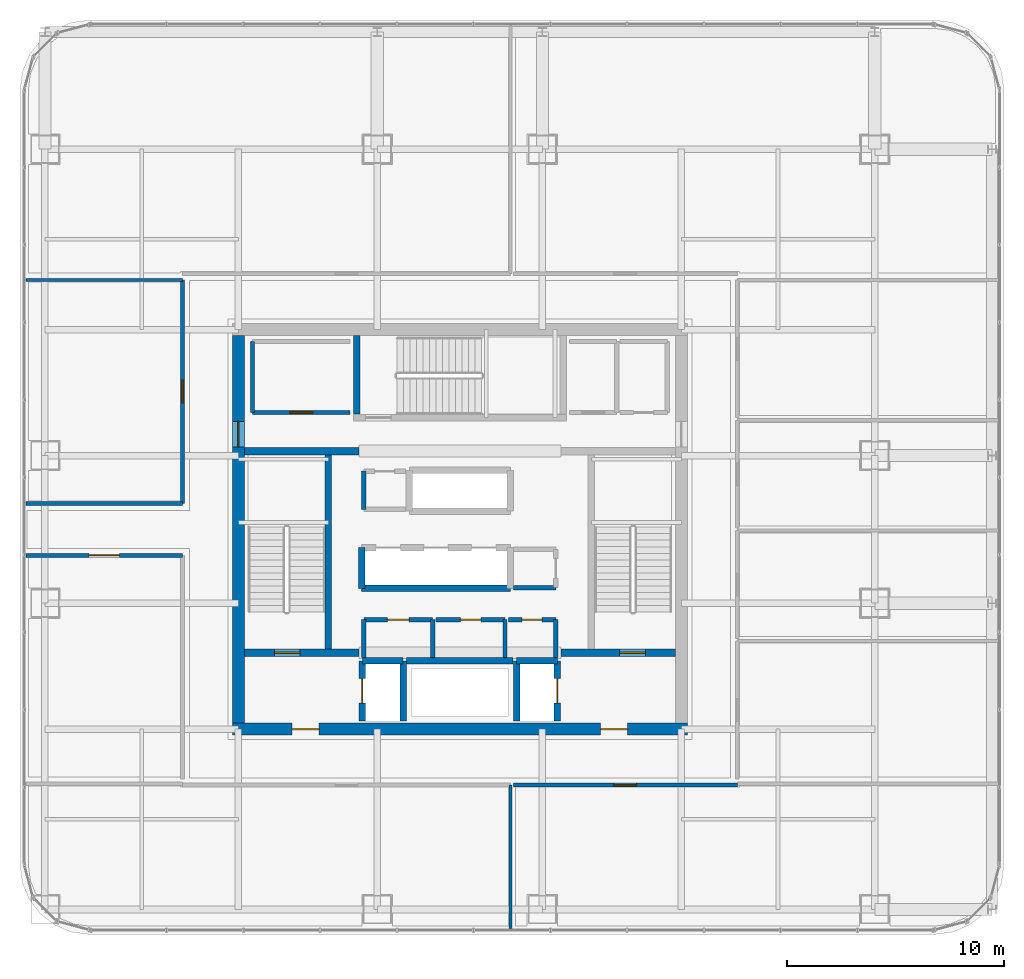
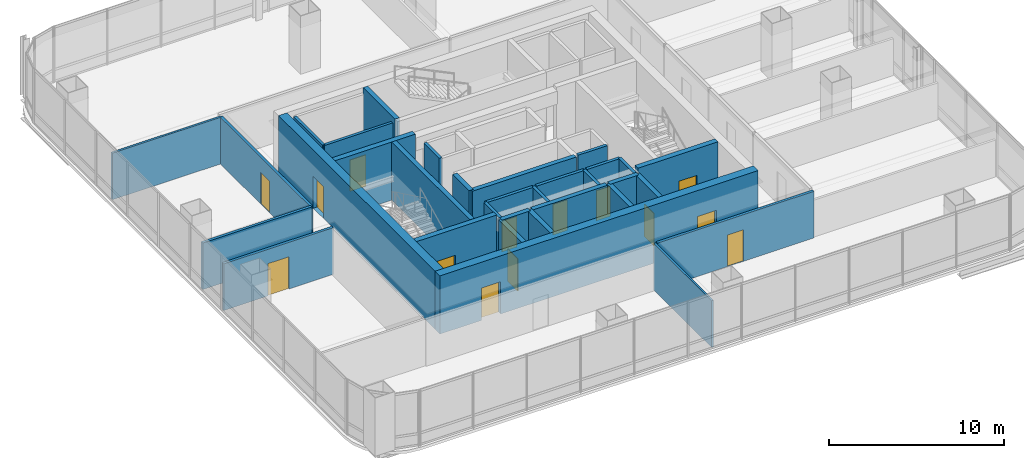
# One storey, part 33 of 39: 33 walls, 14 doors, 14 openings.
"""IFC4 building model written with IfcOpenShell, lengths in metres."""

import ifcopenshell
import ifcopenshell.guid

model = None  # the IFC model being written
_history = None  # IfcOwnerHistory: only IFC2X3 demands one
_inside = {}  # id of a spatial element -> (the spatial element, [elements in it])
_under = {}  # id of a project, library or spatial element -> (it, [spatial elements below it])
_declared = {}  # id of a project -> (the project, [libraries it declares])
_typed = {}  # id of a type object -> (the type object, [elements of that type])
_made_of = {}  # id of a material, layer set ... -> (it, [elements and type objects made of it])


def new_model(schema):
    """Start an empty IFC model of exactly this schema.

    Asked for "IFC4X3", IfcOpenShell would pick the latest addendum, in which some entities
    have other attributes; the version numbers below select the first issue.
    IFC2X3 requires an IfcOwnerHistory on every rooted entity: one is made here for all.
    """
    global model, _history
    if schema == "IFC4X3":
        model = ifcopenshell.file(schema_version=(4, 3, 0, 0))
    else:
        model = ifcopenshell.file(schema=schema)
    _inside.clear()
    _under.clear()
    _declared.clear()
    _typed.clear()
    _made_of.clear()
    _history = None
    if model.schema == "IFC2X3":
        org = make("IfcOrganization", Name="unknown")
        user = make(
            "IfcPersonAndOrganization",
            ThePerson=make("IfcPerson", FamilyName="unknown"),
            TheOrganization=org,
        )
        app = make(
            "IfcApplication",
            ApplicationDeveloper=org,
            Version="unknown",
            ApplicationFullName="unknown",
            ApplicationIdentifier="unknown",
        )
        _history = make(
            "IfcOwnerHistory",
            OwningUser=user,
            OwningApplication=app,
            ChangeAction="ADDED",
            CreationDate=0,
        )
    return model


def make(cls, **values):
    """One entity of the class cls with the attributes given. An attribute that is None is left unset."""
    return model.create_entity(
        cls, **{name: value for name, value in values.items() if value is not None}
    )


def rooted(cls, **values):
    """An entity with a GlobalId (a new one), such as an element, a storey or a relation."""
    return make(cls, GlobalId=ifcopenshell.guid.new(), OwnerHistory=_history, **values)


def si_unit(unit_type, name, prefix=None):
    """IfcSIUnit, for example si_unit("LENGTHUNIT", "METRE", prefix="MILLI")."""
    return make("IfcSIUnit", UnitType=unit_type, Prefix=prefix, Name=name)


def assignment(units):
    """IfcUnitAssignment: the units of a project."""
    return None if units is None else make("IfcUnitAssignment", Units=units)


def point(xyz):
    """IfcCartesianPoint."""
    return None if xyz is None else make("IfcCartesianPoint", Coordinates=xyz)


def direction(xyz):
    """IfcDirection."""
    return None if xyz is None else make("IfcDirection", DirectionRatios=xyz)


def frame(location, z_axis=None, x_axis=None):
    """IfcAxis2Placement3D, a coordinate frame: its origin and axes. An axis left out is left unset."""
    return make(
        "IfcAxis2Placement3D",
        Location=point(location),
        Axis=direction(z_axis),
        RefDirection=direction(x_axis),
    )


def frame_2d(location, x_axis=None):
    """IfcAxis2Placement2D, a coordinate frame in the plane: its origin and x axis."""
    return make(
        "IfcAxis2Placement2D", Location=point(location), RefDirection=direction(x_axis)
    )


def origin():
    """The frame at (0, 0, 0) with its axes left unset."""
    return frame((0.0, 0.0, 0.0))


def place(relative_to, where):
    """IfcLocalPlacement: puts the frame where relative to a parent placement (None: the world)."""
    return make(
        "IfcLocalPlacement", PlacementRelTo=relative_to, RelativePlacement=where
    )


def context(
    kind, dimensions, precision=None, world=None, true_north=None, identifier=None
):
    """IfcGeometricRepresentationContext, for example the 3D "Model" context."""
    return make(
        "IfcGeometricRepresentationContext",
        ContextIdentifier=identifier,
        ContextType=kind,
        CoordinateSpaceDimension=dimensions,
        Precision=precision,
        WorldCoordinateSystem=world,
        TrueNorth=true_north,
    )


def subcontext(parent, identifier, kind, view, scale=None):
    """IfcGeometricRepresentationSubContext, for example "Body" below "Model"."""
    return make(
        "IfcGeometricRepresentationSubContext",
        ContextIdentifier=identifier,
        ContextType=kind,
        ParentContext=parent,
        TargetScale=scale,
        TargetView=view,
    )


def project(units=None, contexts=None):
    """IfcProject with its units and contexts."""
    return rooted(
        "IfcProject",
        Name="project",
        RepresentationContexts=contexts,
        UnitsInContext=assignment(units),
    )


def spatial(cls, under=None, at=None, **own):
    """A site, building, storey or space (cls), placed at a placement, below another one or the project."""
    s = rooted(cls, ObjectPlacement=at, **own)
    if under is not None:
        _under.setdefault(under.id(), (under, []))[1].append(s)
    return s


def profile(cls, at=None, kind="AREA", **sizes):
    """A parametric profile (cls). Its sizes go by their IFC names, for example OverallWidth=200.0."""
    return make(cls, ProfileType=kind, Position=at, **sizes)


def rectangle(**sizes):
    """IfcRectangleProfileDef."""
    return profile("IfcRectangleProfileDef", **sizes)


def extrude(swept, where, along, depth):
    """IfcExtrudedAreaSolid: the profile swept, set in the frame where, extruded along a direction by depth."""
    return make(
        "IfcExtrudedAreaSolid",
        SweptArea=swept,
        Position=where,
        ExtrudedDirection=direction(along),
        Depth=depth,
    )


def shape(context_of_items, identifier, shape_type, items):
    """IfcShapeRepresentation: the items that make up one representation, for example the "Body"."""
    return make(
        "IfcShapeRepresentation",
        ContextOfItems=context_of_items,
        RepresentationIdentifier=identifier,
        RepresentationType=shape_type,
        Items=items,
    )


def material(Name=None, Category=None):
    """IfcMaterial."""
    return make("IfcMaterial", Name=Name, Category=Category)


def layer(
    of_material, thickness, ventilated=None, Name=None, Category=None, Priority=None
):
    """IfcMaterialLayer: one layer of a wall or slab, of a material (None: an air gap)."""
    return make(
        "IfcMaterialLayer",
        Material=of_material,
        LayerThickness=thickness,
        IsVentilated=ventilated,
        Name=Name,
        Category=Category,
        Priority=Priority,
    )


def layer_set(layers, Name=None):
    """IfcMaterialLayerSet."""
    return make("IfcMaterialLayerSet", MaterialLayers=layers, LayerSetName=Name)


def made_of(thing, what):
    """Note that an element or type object is made of a material, layer set ...; save() writes the relation."""
    if what is not None:
        _made_of.setdefault(what.id(), (what, []))[1].append(thing)
    return thing


def type_object(cls, material=None, **own):
    """A type object (cls), such as IfcWallType, which elements share."""
    return made_of(rooted(cls, **own), material)


def element(
    cls,
    number,
    at=None,
    inside=None,
    cuts=None,
    type_object=None,
    material=None,
    context=None,
    identifier="Body",
    shape_type=None,
    held_by="IfcProductDefinitionShape",
    body=None,
    shapes=None,
    **own,
):
    """One element of the class cls, such as IfcWall. Its Tag is "e" and its number.

    at: its placement. inside: the storey or other place that contains it. cuts: it is an
    opening in that element (IfcRelVoidsElement). A single representation is given by context,
    identifier, shape_type and body (its items); several are given by shapes. held_by: the class
    of the entity that holds the representations. save() writes the other relations.
    """
    e = rooted(cls, Tag="e%d" % number, ObjectPlacement=at, **own)
    if body is not None:
        shapes = [shape(context, identifier, shape_type, body)]
    if shapes is not None:
        e.Representation = make(held_by, Representations=shapes)
    if inside is not None:
        _inside.setdefault(inside.id(), (inside, []))[1].append(e)
    if cuts is not None:
        rooted(
            "IfcRelVoidsElement", RelatingBuildingElement=cuts, RelatedOpeningElement=e
        )
    if type_object is not None:
        _typed.setdefault(type_object.id(), (type_object, []))[1].append(e)
    return made_of(e, material)


def fill(opening, filler):
    """IfcRelFillsElement: the door or window that sits in an opening."""
    return rooted(
        "IfcRelFillsElement",
        RelatingOpeningElement=opening,
        RelatedBuildingElement=filler,
    )


def aggregate(whole, parts):
    """IfcRelAggregates: a whole, such as a stair, and the parts it consists of."""
    return rooted("IfcRelAggregates", RelatingObject=whole, RelatedObjects=parts)


def save(model, path):
    """Write the relations noted so far, then the file.

    IfcRelAggregates (storeys below a building ...), IfcRelContainedInSpatialStructure (elements
    in a storey), IfcRelDefinesByType, IfcRelAssociatesMaterial and IfcRelDeclares: one each for
    every whole, place, type object, material and project.
    """
    for whole, parts in _under.values():
        aggregate(whole, parts)
    for where, things in _inside.values():
        rooted(
            "IfcRelContainedInSpatialStructure",
            RelatedElements=things,
            RelatingStructure=where,
        )
    for kind, things in _typed.values():
        rooted("IfcRelDefinesByType", RelatedObjects=things, RelatingType=kind)
    for what, things in _made_of.values():
        rooted("IfcRelAssociatesMaterial", RelatedObjects=things, RelatingMaterial=what)
    for by, libraries in _declared.values():
        rooted("IfcRelDeclares", RelatingContext=by, RelatedDefinitions=libraries)
    model.write(path)


model = new_model("IFC4")

# Units and contexts
model_context = context("Model", 3, precision=1e-05, world=origin(), true_north=direction((0.0, 1.0)))
body_context = subcontext(model_context, "Body", "Model", "MODEL_VIEW")
ifc_project = project(units=[si_unit("LENGTHUNIT", "METRE"), si_unit("AREAUNIT", "SQUARE_METRE"), si_unit("VOLUMEUNIT", "CUBIC_METRE"), si_unit("PLANEANGLEUNIT", "RADIAN"), si_unit("MASSUNIT", "GRAM", prefix="KILO")], contexts=[model_context])

# Site, building, storey
site_placement = place(None, origin())
site = spatial("IfcSite", under=ifc_project, at=site_placement, CompositionType="ELEMENT")
building_placement = place(site_placement, origin())
building = spatial("IfcBuilding", under=site, at=building_placement, Name="Punatoya Terracotta Tower", CompositionType="ELEMENT")
storey_placement = place(building_placement, frame((0.0, 0.0, 275.699951171875)))
storey = spatial("IfcBuildingStorey", under=building, at=storey_placement, Name="L65", CompositionType="ELEMENT", Elevation=275.699951171875)

# Wall, openings, doors
ifc_material_1 = material(Name="Concrete C50/60", Category="concrete")
ifc_layer_1 = layer(ifc_material_1, 0.550048828125)
ifc_layer_set_1 = layer_set([ifc_layer_1], Name="Concrete C50/60")
wall_type_1 = type_object("IfcWallType", Name="WL-COR-550", PredefinedType="SHEAR", material=ifc_layer_set_1)
wall_1_placement = place(storey_placement, frame((10.47509765625, -9.199951171875, 0.0), z_axis=(0.0, 0.0, 1.0), x_axis=(-1.0, 0.0, 0.0)))
wall_1 = element("IfcWall", 1, at=wall_1_placement, inside=storey, type_object=wall_type_1, Name="L65 Core Shear Wall S", PredefinedType="SHEAR", context=body_context, shape_type="SweptSolid", body=[
    extrude(rectangle(XDim=20.9501953125, YDim=0.550048828125, at=frame_2d((10.47509765625, 0.0))), origin(), (0.0, 0.0, 1.0), 4.050048828125),
])
opening_1_placement = place(wall_1_placement, frame((2.75, 0.0, 0.0)))
opening_1 = element("IfcOpeningElement", 2, at=opening_1_placement, cuts=wall_1, Name="Opening FD-L1", PredefinedType="OPENING", context=body_context, shape_type="SweptSolid", body=[
    extrude(rectangle(XDim=1.25, YDim=2.25, at=frame_2d((0.625, 1.125))), frame((0.0, 0.284912109375, 0.0), z_axis=(0.0, -1.0, 0.0), x_axis=(1.0, 0.0, 0.0)), (0.0, 0.0, 1.0), 0.570068359375),
])
opening_2_placement = place(wall_1_placement, frame((16.949951171875, 0.0, 0.0)))
opening_2 = element("IfcOpeningElement", 3, at=opening_2_placement, cuts=wall_1, Name="Opening FD-L1", PredefinedType="OPENING", context=body_context, shape_type="SweptSolid", body=[
    extrude(rectangle(XDim=1.25, YDim=2.25, at=frame_2d((0.625, 1.125))), frame((0.0, 0.284912109375, 0.0), z_axis=(0.0, -1.0, 0.0), x_axis=(1.0, 0.0, 0.0)), (0.0, 0.0, 1.0), 0.570068359375),
])
ifc_material_2 = material(Name="Galvanised Steel Smokeproof Fire Door", Category="steel")
door_type_1 = type_object("IfcDoorType", Name="DR-FFL-1250", OperationType="NOTDEFINED", PredefinedType="DOOR", material=ifc_material_2)
door_1_placement = place(opening_1_placement, origin())
door_1 = element("IfcDoor", 4, at=door_1_placement, inside=storey, type_object=door_type_1, Name="L65 East Firefighting Lobby Corridor Fire Door", OperationType="SINGLE_SWING_LEFT", OverallHeight=2.25, OverallWidth=1.25, PredefinedType="DOOR", context=body_context, shape_type="SweptSolid", body=[
    extrude(rectangle(XDim=1.25, YDim=2.25, at=frame_2d((0.625, 1.125))), frame((0.0, 0.02490234375, 0.0), z_axis=(0.0, -1.0, 0.0), x_axis=(1.0, 0.0, 0.0)), (0.0, 0.0, 1.0), 0.050048828125),
])
fill(opening_1, door_1)
door_2_placement = place(opening_2_placement, origin())
door_2 = element("IfcDoor", 5, at=door_2_placement, inside=storey, type_object=door_type_1, Name="L65 West Firefighting Lobby Corridor Fire Door", OperationType="SINGLE_SWING_RIGHT", OverallHeight=2.25, OverallWidth=1.25, PredefinedType="DOOR", context=body_context, shape_type="SweptSolid", body=[
    extrude(rectangle(XDim=1.25, YDim=2.25, at=frame_2d((0.625, 1.125))), frame((0.0, 0.02490234375, 0.0), z_axis=(0.0, -1.0, 0.0), x_axis=(1.0, 0.0, 0.0)), (0.0, 0.0, 1.0), 0.050048828125),
])
fill(opening_2, door_2)

# Wall, opening, door
wall_2_placement = place(storey_placement, frame((-10.199951171875, -8.925048828125, 0.0), z_axis=(0.0, 0.0, 1.0), x_axis=(0.0, 1.0, 0.0)))
wall_2 = element("IfcWall", 6, at=wall_2_placement, inside=storey, type_object=wall_type_1, Name="L65 Core Shear Wall W", PredefinedType="SHEAR", context=body_context, shape_type="SweptSolid", body=[
    extrude(rectangle(XDim=17.85009765625, YDim=0.550048828125, at=frame_2d((8.925048828125, 0.0))), origin(), (0.0, 0.0, 1.0), 4.050048828125),
])
opening_3_placement = place(wall_2_placement, frame((12.715087890625, 0.0, 0.0)))
opening_3 = element("IfcOpeningElement", 7, at=opening_3_placement, cuts=wall_2, Name="Opening SD-01", PredefinedType="OPENING", context=body_context, shape_type="SweptSolid", body=[
    extrude(rectangle(XDim=1.179931640625, YDim=2.199951171875, at=frame_2d((0.58984375, 1.10009765625))), frame((0.0, 0.284912109375, 0.0), z_axis=(0.0, -1.0, 0.0), x_axis=(1.0, 0.0, 0.0)), (0.0, 0.0, 1.0), 0.570068359375),
])
ifc_material_3 = material(Name="Galvanised Steel Pressurized Stair Fire Door", Category="steel")
door_type_2 = type_object("IfcDoorType", Name="DR-STR-1180", OperationType="NOTDEFINED", PredefinedType="DOOR", material=ifc_material_3)
door_3_placement = place(opening_3_placement, origin())
door_3 = element("IfcDoor", 8, at=door_3_placement, inside=storey, type_object=door_type_2, Name="L65 Central Lift Lobby West Fire Door", OperationType="SINGLE_SWING_LEFT", OverallHeight=2.199951171875, OverallWidth=1.179931640625, PredefinedType="DOOR", context=body_context, shape_type="SweptSolid", body=[
    extrude(rectangle(XDim=1.179931640625, YDim=2.199951171875, at=frame_2d((0.58984375, 1.10009765625))), frame((0.0, 0.02490234375, 0.0), z_axis=(0.0, -1.0, 0.0), x_axis=(1.0, 0.0, 0.0)), (0.0, 0.0, 1.0), 0.050048828125),
])
fill(opening_3, door_3)

# Wall
ifc_material_4 = material(Name="Gypsum Fireboard + Steel Stud", Category="steel")
ifc_layer_2 = layer(ifc_material_4, 0.179931640625)
ifc_layer_set_2 = layer_set([ifc_layer_2], Name="Gypsum Fireboard + Steel Stud")
wall_type_2 = type_object("IfcWallType", Name="WL-CORR-180", PredefinedType="PARTITIONING", material=ifc_layer_set_2)
wall_3_placement = place(storey_placement, frame((-9.550048828125, 8.64990234375, 0.0), z_axis=(0.0, 0.0, 1.0), x_axis=(0.0, -1.0, 0.0)))
element("IfcWall", 9, at=wall_3_placement, inside=storey, type_object=wall_type_2, Name="L65 West Core Records Office Partition 15", PredefinedType="PARTITIONING", context=body_context, shape_type="SweptSolid", body=[
    extrude(rectangle(XDim=3.27001953125, YDim=0.179931640625, at=frame_2d((1.635009765625, 0.0))), origin(), (0.0, 0.0, 1.0), 3.85009765625),
])

# Wall, opening, door
wall_4_placement = place(storey_placement, frame((-9.550048828125, 5.3798828125, 0.0), z_axis=(0.0, 0.0, 1.0), x_axis=(1.0, 0.0, 0.0)))
wall_4 = element("IfcWall", 10, at=wall_4_placement, inside=storey, type_object=wall_type_2, Name="L65 West Core Records Office Partition 16", PredefinedType="PARTITIONING", context=body_context, shape_type="SweptSolid", body=[
    extrude(rectangle(XDim=4.5, YDim=0.179931640625, at=frame_2d((2.25, 0.0))), origin(), (0.0, 0.0, 1.0), 3.85009765625),
])
opening_4_placement = place(wall_4_placement, frame((1.72509765625, 0.0, 0.0)))
opening_4 = element("IfcOpeningElement", 11, at=opening_4_placement, cuts=wall_4, Name="Opening OD-01", PredefinedType="OPENING", context=body_context, shape_type="SweptSolid", body=[
    extrude(rectangle(XDim=1.050048828125, YDim=2.199951171875, at=frame_2d((0.52490234375, 1.10009765625))), frame((0.0, 0.099853515625, 0.0), z_axis=(0.0, -1.0, 0.0), x_axis=(1.0, 0.0, 0.0)), (0.0, 0.0, 1.0), 0.199951171875),
])
ifc_material_5 = material(Name="Bengal Teak Solid-Core Leaf")
door_type_3 = type_object("IfcDoorType", Name="DR-OFF-1050", OperationType="NOTDEFINED", PredefinedType="DOOR", material=ifc_material_5)
door_4_placement = place(opening_4_placement, origin())
door_4 = element("IfcDoor", 12, at=door_4_placement, inside=storey, type_object=door_type_3, Name="L65 West Records Office Door", OperationType="SINGLE_SWING_RIGHT", OverallHeight=2.199951171875, OverallWidth=1.050048828125, PredefinedType="DOOR", context=body_context, shape_type="SweptSolid", body=[
    extrude(rectangle(XDim=1.050048828125, YDim=2.199951171875, at=frame_2d((0.52490234375, 1.10009765625))), frame((0.0, 0.02490234375, 0.0), z_axis=(0.0, -1.0, 0.0), x_axis=(1.0, 0.0, 0.0)), (0.0, 0.0, 1.0), 0.050048828125),
])
fill(opening_4, door_4)

wall_5_placement = place(storey_placement, frame((2.4599609375, -11.77001953125, 0.0), z_axis=(0.0, 0.0, 1.0), x_axis=(1.0, 0.0, 0.0)))
wall_5 = element("IfcWall", 13, at=wall_5_placement, inside=storey, type_object=wall_type_2, Name="L65 Open-Plan Analytical Practice Office Partition 27", PredefinedType="PARTITIONING", context=body_context, shape_type="SweptSolid", body=[
    extrude(rectangle(XDim=10.31005859375, YDim=0.179931640625, at=frame_2d((5.155029296875, 0.0))), origin(), (0.0, 0.0, 1.0), 3.244140625),
])
opening_5_placement = place(wall_5_placement, frame((4.6298828125, 0.0, 0.0)))
opening_5 = element("IfcOpeningElement", 14, at=opening_5_placement, cuts=wall_5, Name="Opening OD-01", PredefinedType="OPENING", context=body_context, shape_type="SweptSolid", body=[
    extrude(rectangle(XDim=1.050048828125, YDim=2.199951171875, at=frame_2d((0.52490234375, 1.10009765625))), frame((0.0, 0.099853515625, 0.0), z_axis=(0.0, -1.0, 0.0), x_axis=(1.0, 0.0, 0.0)), (0.0, 0.0, 1.0), 0.199951171875),
])
door_5_placement = place(opening_5_placement, origin())
door_5 = element("IfcDoor", 15, at=door_5_placement, inside=storey, type_object=door_type_3, Name="L65 Open-Plan Analytical Practice Office Door", OperationType="SINGLE_SWING_RIGHT", OverallHeight=2.199951171875, OverallWidth=1.050048828125, PredefinedType="DOOR", context=body_context, shape_type="SweptSolid", body=[
    extrude(rectangle(XDim=1.050048828125, YDim=2.199951171875, at=frame_2d((0.52490234375, 1.10009765625))), frame((0.0, 0.02490234375, 0.0), z_axis=(0.0, -1.0, 0.0), x_axis=(1.0, 0.0, 0.0)), (0.0, 0.0, 1.0), 0.050048828125),
])
fill(opening_5, door_5)

wall_6_placement = place(storey_placement, frame((-19.969970703125, -1.199951171875, 0.0), z_axis=(0.0, 0.0, 1.0), x_axis=(1.0, 0.0, 0.0)))
wall_6 = element("IfcWall", 16, at=wall_6_placement, inside=storey, type_object=wall_type_2, Name="L65 Open-Plan Client Strategy Boardroom Partition 30", PredefinedType="PARTITIONING", context=body_context, shape_type="SweptSolid", body=[
    extrude(rectangle(XDim=7.199951171875, YDim=0.179931640625, at=frame_2d((3.60009765625, 0.0))), origin(), (0.0, 0.0, 1.0), 3.244140625),
])
opening_6_placement = place(wall_6_placement, frame((2.89990234375, 0.0, 0.0)))
opening_6 = element("IfcOpeningElement", 17, at=opening_6_placement, cuts=wall_6, Name="Opening BD-01", PredefinedType="OPENING", context=body_context, shape_type="SweptSolid", body=[
    extrude(rectangle(XDim=1.39990234375, YDim=2.25, at=frame_2d((0.699951171875, 1.125))), frame((0.0, 0.099853515625, 0.0), z_axis=(0.0, -1.0, 0.0), x_axis=(1.0, 0.0, 0.0)), (0.0, 0.0, 1.0), 0.199951171875),
])
ifc_material_6 = material(Name="Bengal Teak Acoustic Leaf")
door_type_4 = type_object("IfcDoorType", Name="DR-BRD-1400", OperationType="NOTDEFINED", PredefinedType="DOOR", material=ifc_material_6)
door_6_placement = place(opening_6_placement, origin())
door_6 = element("IfcDoor", 18, at=door_6_placement, inside=storey, type_object=door_type_4, Name="L65 Open-Plan Client Strategy Boardroom Door", OperationType="SINGLE_SWING_RIGHT", OverallHeight=2.25, OverallWidth=1.39990234375, PredefinedType="DOOR", context=body_context, shape_type="SweptSolid", body=[
    extrude(rectangle(XDim=1.39990234375, YDim=2.25, at=frame_2d((0.699951171875, 1.125))), frame((0.0, 0.02490234375, 0.0), z_axis=(0.0, -1.0, 0.0), x_axis=(1.0, 0.0, 0.0)), (0.0, 0.0, 1.0), 0.050048828125),
])
fill(opening_6, door_6)

wall_7_placement = place(storey_placement, frame((-12.77001953125, 11.489990234375, 0.0), z_axis=(0.0, 0.0, 1.0), x_axis=(0.0, -1.0, 0.0)))
wall_7 = element("IfcWall", 19, at=wall_7_placement, inside=storey, type_object=wall_type_2, Name="L65 Open-Plan Wellness Quiet Room Partition 37", PredefinedType="PARTITIONING", context=body_context, shape_type="SweptSolid", body=[
    extrude(rectangle(XDim=10.2900390625, YDim=0.179931640625, at=frame_2d((5.14501953125, 0.0))), origin(), (0.0, 0.0, 1.0), 3.244140625),
])
opening_7_placement = place(wall_7_placement, frame((4.6201171875, 0.0, 0.0)))
opening_7 = element("IfcOpeningElement", 20, at=opening_7_placement, cuts=wall_7, Name="Opening OD-01", PredefinedType="OPENING", context=body_context, shape_type="SweptSolid", body=[
    extrude(rectangle(XDim=1.050048828125, YDim=2.199951171875, at=frame_2d((0.52490234375, 1.10009765625))), frame((0.0, 0.099853515625, 0.0), z_axis=(0.0, -1.0, 0.0), x_axis=(1.0, 0.0, 0.0)), (0.0, 0.0, 1.0), 0.199951171875),
])
door_7_placement = place(opening_7_placement, origin())
door_7 = element("IfcDoor", 21, at=door_7_placement, inside=storey, type_object=door_type_3, Name="L65 Open-Plan Wellness Quiet Room Door", OperationType="SINGLE_SWING_LEFT", OverallHeight=2.199951171875, OverallWidth=1.050048828125, PredefinedType="DOOR", context=body_context, shape_type="SweptSolid", body=[
    extrude(rectangle(XDim=1.050048828125, YDim=2.199951171875, at=frame_2d((0.52490234375, 1.10009765625))), frame((0.0, 0.02490234375, 0.0), z_axis=(0.0, -1.0, 0.0), x_axis=(1.0, 0.0, 0.0)), (0.0, 0.0, 1.0), 0.050048828125),
])
fill(opening_7, door_7)

# Walls
wall_8_placement = place(storey_placement, frame((-12.77001953125, 1.199951171875, 0.0), z_axis=(0.0, 0.0, 1.0), x_axis=(-1.0, 0.0, 0.0)))
element("IfcWall", 22, at=wall_8_placement, inside=storey, type_object=wall_type_2, Name="L65 Open-Plan Wellness Quiet Room Partition 38", PredefinedType="PARTITIONING", context=body_context, shape_type="SweptSolid", body=[
    extrude(rectangle(XDim=7.199951171875, YDim=0.179931640625, at=frame_2d((3.60009765625, 0.0))), origin(), (0.0, 0.0, 1.0), 3.244140625),
])
ifc_material_7 = material(Name="Concrete C40/50", Category="concrete")
ifc_layer_3 = layer(ifc_material_7, 0.199951171875)
ifc_layer_set_3 = layer_set([ifc_layer_3], Name="Concrete C40/50")
wall_type_3 = type_object("IfcWallType", Name="WL-INT-200", PredefinedType="SOLIDWALL", material=ifc_layer_set_3)
wall_9_placement = place(storey_placement, frame((-1.25, -5.89990234375, 0.0), z_axis=(0.0, 0.0, 1.0), x_axis=(0.0, 1.0, 0.0)))
element("IfcWall", 23, at=wall_9_placement, inside=storey, type_object=wall_type_3, Name="L65 Accessible Universal Washroom Partition 01", PredefinedType="SOLIDWALL", context=body_context, shape_type="SweptSolid", body=[
    extrude(rectangle(XDim=1.739990234375, YDim=0.199951171875, at=frame_2d((0.8701171875, 0.0))), origin(), (0.0, 0.0, 1.0), 3.85009765625),
])

# Wall, opening, door
wall_10_placement = place(storey_placement, frame((-1.25, -4.159912109375, 0.0), z_axis=(0.0, 0.0, 1.0), x_axis=(-1.0, 0.0, 0.0)))
wall_10 = element("IfcWall", 24, at=wall_10_placement, inside=storey, type_object=wall_type_3, Name="L65 Accessible Universal Washroom Partition 02", PredefinedType="SOLIDWALL", context=body_context, shape_type="SweptSolid", body=[
    extrude(rectangle(XDim=3.169921875, YDim=0.199951171875, at=frame_2d((1.5849609375, 0.0))), origin(), (0.0, 0.0, 1.0), 3.85009765625),
])
opening_8_placement = place(wall_10_placement, frame((1.0849609375, 0.0, 0.0)))
opening_8 = element("IfcOpeningElement", 25, at=opening_8_placement, cuts=wall_10, Name="Opening AWD-1", PredefinedType="OPENING", context=body_context, shape_type="SweptSolid", body=[
    extrude(rectangle(XDim=1.0, YDim=2.14990234375, at=frame_2d((0.5, 1.074951171875))), frame((0.0, 0.10986328125, 0.0), z_axis=(0.0, -1.0, 0.0), x_axis=(1.0, 0.0, 0.0)), (0.0, 0.0, 1.0), 0.219970703125),
])
ifc_material_8 = material(Name="Bengal Teak Accessible WC Leaf")
door_type_5 = type_object("IfcDoorType", Name="DR-ACC-1000", OperationType="NOTDEFINED", PredefinedType="DOOR", material=ifc_material_8)
door_8_placement = place(opening_8_placement, origin())
door_8 = element("IfcDoor", 26, at=door_8_placement, inside=storey, type_object=door_type_5, Name="L65 Accessible Universal Washroom Door", OperationType="SINGLE_SWING_LEFT", OverallHeight=2.14990234375, OverallWidth=1.0, PredefinedType="DOOR", context=body_context, shape_type="SweptSolid", body=[
    extrude(rectangle(XDim=1.0, YDim=2.14990234375, at=frame_2d((0.5, 1.074951171875))), frame((0.0, 0.02490234375, 0.0), z_axis=(0.0, -1.0, 0.0), x_axis=(1.0, 0.0, 0.0)), (0.0, 0.0, 1.0), 0.050048828125),
])
fill(opening_8, door_8)

# Walls
for number, where, z_axis, x_axis, name in (
    (27, (-4.419921875, -4.159912109375, 0.0), (0.0, 0.0, 1.0), (0.0, -1.0, 0.0), "L65 Accessible Universal Washroom Partition 03"),
    (28, (2.080078125, -5.89990234375, 0.0), (0.0, 0.0, 1.0), (0.0, 1.0, 0.0), "L65 All-Gender Universal Washroom Partition 04"),
):
    element("IfcWall", number, at=place(storey_placement, frame(where, z_axis=z_axis, x_axis=x_axis)), inside=storey, type_object=wall_type_3, Name=name, PredefinedType="SOLIDWALL", context=body_context, shape_type="SweptSolid", body=[
        extrude(rectangle(XDim=1.739990234375, YDim=0.199951171875, at=frame_2d((0.8701171875, 0.0))), origin(), (0.0, 0.0, 1.0), 3.85009765625),
    ])

# Wall, opening, door
wall_11_placement = place(storey_placement, frame((2.080078125, -4.159912109375, 0.0), z_axis=(0.0, 0.0, 1.0), x_axis=(-1.0, 0.0, 0.0)))
wall_11 = element("IfcWall", 29, at=wall_11_placement, inside=storey, type_object=wall_type_3, Name="L65 All-Gender Universal Washroom Partition 05", PredefinedType="SOLIDWALL", context=body_context, shape_type="SweptSolid", body=[
    extrude(rectangle(XDim=3.170166015625, YDim=0.199951171875, at=frame_2d((1.5849609375, 0.0))), origin(), (0.0, 0.0, 1.0), 3.85009765625),
])
opening_9_placement = place(wall_11_placement, frame((1.110107421875, 0.0, 0.0)))
opening_9 = element("IfcOpeningElement", 30, at=opening_9_placement, cuts=wall_11, Name="Opening WD-01", PredefinedType="OPENING", context=body_context, shape_type="SweptSolid", body=[
    extrude(rectangle(XDim=0.949951171875, YDim=2.14990234375, at=frame_2d((0.47509765625, 1.074951171875))), frame((0.0, 0.10986328125, 0.0), z_axis=(0.0, -1.0, 0.0), x_axis=(1.0, 0.0, 0.0)), (0.0, 0.0, 1.0), 0.219970703125),
])
ifc_material_9 = material(Name="Moisture-Resistant Laminate Timber Leaf", Category="wood")
door_type_6 = type_object("IfcDoorType", Name="DR-WC-950", OperationType="NOTDEFINED", PredefinedType="DOOR", material=ifc_material_9)
door_9_placement = place(opening_9_placement, origin())
door_9 = element("IfcDoor", 31, at=door_9_placement, inside=storey, type_object=door_type_6, Name="L65 All-Gender Universal Washroom Door", OperationType="SINGLE_SWING_RIGHT", OverallHeight=2.14990234375, OverallWidth=0.949951171875, PredefinedType="DOOR", context=body_context, shape_type="SweptSolid", body=[
    extrude(rectangle(XDim=0.949951171875, YDim=2.14990234375, at=frame_2d((0.47509765625, 1.074951171875))), frame((0.0, 0.02490234375, 0.0), z_axis=(0.0, -1.0, 0.0), x_axis=(1.0, 0.0, 0.0)), (0.0, 0.0, 1.0), 0.050048828125),
])
fill(opening_9, door_9)

# Wall
wall_12_placement = place(storey_placement, frame((4.419921875, -5.89990234375, 0.0), z_axis=(0.0, 0.0, 1.0), x_axis=(0.0, 1.0, 0.0)))
element("IfcWall", 32, at=wall_12_placement, inside=storey, type_object=wall_type_3, Name="L65 Core Electrical Switchgear Room Partition 06", PredefinedType="SOLIDWALL", context=body_context, shape_type="SweptSolid", body=[
    extrude(rectangle(XDim=1.739990234375, YDim=0.199951171875, at=frame_2d((0.8701171875, 0.0))), origin(), (0.0, 0.0, 1.0), 3.85009765625),
])

# Wall, opening, door
wall_13_placement = place(storey_placement, frame((4.419921875, -4.159912109375, 0.0), z_axis=(0.0, 0.0, 1.0), x_axis=(-1.0, 0.0, 0.0)))
wall_13 = element("IfcWall", 33, at=wall_13_placement, inside=storey, type_object=wall_type_3, Name="L65 Core Electrical Switchgear Room Partition 07", PredefinedType="SOLIDWALL", context=body_context, shape_type="SweptSolid", body=[
    extrude(rectangle(XDim=2.179931640625, YDim=0.199951171875, at=frame_2d((1.08984375, 0.0))), origin(), (0.0, 0.0, 1.0), 3.85009765625),
])
opening_10_placement = place(wall_13_placement, frame((0.6298828125, 0.0, 0.0)))
opening_10 = element("IfcOpeningElement", 34, at=opening_10_placement, cuts=wall_13, Name="Opening FD-R1", PredefinedType="OPENING", context=body_context, shape_type="SweptSolid", body=[
    extrude(rectangle(XDim=0.919921875, YDim=2.10009765625, at=frame_2d((0.4599609375, 1.050048828125))), frame((0.0, 0.10986328125, 0.0), z_axis=(0.0, -1.0, 0.0), x_axis=(1.0, 0.0, 0.0)), (0.0, 0.0, 1.0), 0.219970703125),
])
ifc_material_10 = material(Name="Galvanised Steel Riser Fire Access Door", Category="steel")
door_type_7 = type_object("IfcDoorType", Name="DR-RSR-920", OperationType="NOTDEFINED", PredefinedType="DOOR", material=ifc_material_10)
door_10_placement = place(opening_10_placement, origin())
door_10 = element("IfcDoor", 35, at=door_10_placement, inside=storey, type_object=door_type_7, Name="L65 Core Electrical Switchgear Room Fire Door", OperationType="SINGLE_SWING_LEFT", OverallHeight=2.10009765625, OverallWidth=0.919921875, PredefinedType="DOOR", context=body_context, shape_type="SweptSolid", body=[
    extrude(rectangle(XDim=0.919921875, YDim=2.10009765625, at=frame_2d((0.4599609375, 1.050048828125))), frame((0.0, 0.02490234375, 0.0), z_axis=(0.0, -1.0, 0.0), x_axis=(1.0, 0.0, 0.0)), (0.0, 0.0, 1.0), 0.050048828125),
])
fill(opening_10, door_10)

# Walls
wall_14_placement = place(storey_placement, frame((2.47998046875, -2.679931640625, 0.0), z_axis=(0.0, 0.0, 1.0), x_axis=(1.0, 0.0, 0.0)))
element("IfcWall", 36, at=wall_14_placement, inside=storey, type_object=wall_type_3, Name="L65 East Core Reprographics Store Partition 10", PredefinedType="SOLIDWALL", context=body_context, shape_type="SweptSolid", body=[
    extrude(rectangle(XDim=1.93994140625, YDim=0.199951171875, at=frame_2d((0.969970703125, 0.0))), origin(), (0.0, 0.0, 1.0), 3.85009765625),
])
wall_15_placement = place(storey_placement, frame((-4.419921875, 2.679931640625, 0.0), z_axis=(0.0, 0.0, 1.0), x_axis=(0.0, -1.0, 0.0)))
element("IfcWall", 37, at=wall_15_placement, inside=storey, type_object=wall_type_3, Name="L65 Core Security Equipment Closet Partition 12", PredefinedType="SOLIDWALL", context=body_context, shape_type="SweptSolid", body=[
    extrude(rectangle(XDim=1.760009765625, YDim=0.199951171875, at=frame_2d((0.8798828125, 0.0))), origin(), (0.0, 0.0, 1.0), 3.85009765625),
])
ifc_material_11 = material(Name="Acoustic Gypsum + Steel Stud", Category="steel")
ifc_layer_4 = layer(ifc_material_11, 0.139892578125)
ifc_layer_set_4 = layer_set([ifc_layer_4], Name="Acoustic Gypsum + Steel Stud")
wall_type_4 = type_object("IfcWallType", Name="WL-OFF-140", PredefinedType="PARTITIONING", material=ifc_layer_set_4)
wall_16_placement = place(storey_placement, frame((2.340087890625, -11.77001953125, 0.0), z_axis=(0.0, 0.0, 1.0), x_axis=(0.0, -1.0, 0.0)))
element("IfcWall", 38, at=wall_16_placement, inside=storey, type_object=wall_type_4, Name="L65 Open Workplace Studio Partition 24", PredefinedType="PARTITIONING", context=body_context, shape_type="SweptSolid", body=[
    extrude(rectangle(XDim=6.60009765625, YDim=0.139892578125, at=frame_2d((3.300048828125, 0.0))), origin(), (0.0, 0.0, 1.0), 3.244140625),
])
wall_17_placement = place(storey_placement, frame((-19.969970703125, 11.489990234375, 0.0), z_axis=(0.0, 0.0, 1.0), x_axis=(1.0, 0.0, 0.0)))
element("IfcWall", 39, at=wall_17_placement, inside=storey, type_object=wall_type_4, Name="L65 Open-Plan Wellness Quiet Room Partition 36", PredefinedType="PARTITIONING", context=body_context, shape_type="SweptSolid", body=[
    extrude(rectangle(XDim=7.199951171875, YDim=0.139892578125, at=frame_2d((3.60009765625, 0.0))), origin(), (0.0, 0.0, 1.0), 3.244140625),
])
ifc_layer_5 = layer(ifc_material_7, 0.300048828125)
ifc_layer_set_5 = layer_set([ifc_layer_5], Name="Concrete C40/50")
wall_type_5 = type_object("IfcWallType", Name="WL-SHF-300", PredefinedType="SOLIDWALL", material=ifc_layer_set_5)
wall_18_placement = place(storey_placement, frame((-6.050048828125, -5.5, 0.0), z_axis=(0.0, 0.0, 1.0), x_axis=(0.0, 1.0, 0.0)))
element("IfcWall", 40, at=wall_18_placement, inside=storey, type_object=wall_type_5, Name="L65 Structural Stair Shaft Wall SW-ST1-E", PredefinedType="SOLIDWALL", context=body_context, shape_type="SweptSolid", body=[
    extrude(rectangle(XDim=8.949951171875, YDim=0.300048828125, at=frame_2d((4.47509765625, 0.0))), origin(), (0.0, 0.0, 1.0), 4.050048828125),
])
wall_19_placement = place(storey_placement, frame((-4.75, 5.300048828125, 0.0), z_axis=(0.0, 0.0, 1.0), x_axis=(0.0, 1.0, 0.0)))
element("IfcWall", 41, at=wall_19_placement, inside=storey, type_object=wall_type_5, Name="L65 Structural Stair Shaft Wall SW-ST3-W", PredefinedType="SOLIDWALL", context=body_context, shape_type="SweptSolid", body=[
    extrude(rectangle(XDim=3.625, YDim=0.300048828125, at=frame_2d((1.8125, 0.0))), origin(), (0.0, 0.0, 1.0), 4.050048828125),
])

# Wall, opening, door
wall_20_placement = place(storey_placement, frame((-4.489990234375, -8.820068359375, 0.0), z_axis=(0.0, 0.0, 1.0), x_axis=(0.0, 1.0, 0.0)))
wall_20 = element("IfcWall", 42, at=wall_20_placement, inside=storey, type_object=wall_type_5, Name="L65 FFL-1 Front Hoistway Wall", PredefinedType="SOLIDWALL", context=body_context, shape_type="SweptSolid", body=[
    extrude(rectangle(XDim=2.77001953125, YDim=0.300048828125, at=frame_2d((1.385009765625, 0.0))), origin(), (0.0, 0.0, 1.0), 3.85009765625),
])
opening_11_placement = place(wall_20_placement, frame((0.824951171875, 0.0, 0.0)))
opening_11 = element("IfcOpeningElement", 43, at=opening_11_placement, cuts=wall_20, Name="Opening LD-02", PredefinedType="OPENING", context=body_context, shape_type="SweptSolid", body=[
    extrude(rectangle(XDim=1.1201171875, YDim=2.25, at=frame_2d((0.56005859375, 1.125))), frame((0.0, 0.159912109375, 0.0), z_axis=(0.0, -1.0, 0.0), x_axis=(1.0, 0.0, 0.0)), (0.0, 0.0, 1.0), 0.320068359375),
])
ifc_material_12 = material(Name="Stainless Steel Lift Landing Door", Category="steel")
door_type_8 = type_object("IfcDoorType", Name="DR-LND-1120", OperationType="NOTDEFINED", PredefinedType="DOOR", material=ifc_material_12)
door_11_placement = place(opening_11_placement, origin())
door_11 = element("IfcDoor", 44, at=door_11_placement, inside=storey, type_object=door_type_8, Name="L65 Firefighting Lift FFL-1 Sliding Landing Door", OperationType="SLIDING_TO_LEFT", OverallHeight=2.25, OverallWidth=1.1201171875, PredefinedType="DOOR", context=body_context, shape_type="SweptSolid", body=[
    extrude(rectangle(XDim=1.1201171875, YDim=2.25, at=frame_2d((0.56005859375, 1.125))), frame((0.0, 0.02490234375, 0.0), z_axis=(0.0, -1.0, 0.0), x_axis=(1.0, 0.0, 0.0)), (0.0, 0.0, 1.0), 0.050048828125),
])
fill(opening_11, door_11)

# Walls
wall_21_placement = place(storey_placement, frame((-2.610107421875, -8.820068359375, 0.0), z_axis=(0.0, 0.0, 1.0), x_axis=(0.0, 1.0, 0.0)))
element("IfcWall", 45, at=wall_21_placement, inside=storey, type_object=wall_type_5, Name="L65 FFL-1 Rear Hoistway Wall", PredefinedType="SOLIDWALL", context=body_context, shape_type="SweptSolid", body=[
    extrude(rectangle(XDim=2.77001953125, YDim=0.300048828125, at=frame_2d((1.385009765625, 0.0))), origin(), (0.0, 0.0, 1.0), 3.85009765625),
])
wall_22_placement = place(storey_placement, frame((-4.489990234375, -6.050048828125, 0.0), z_axis=(0.0, 0.0, 1.0), x_axis=(1.0, 0.0, 0.0)))
element("IfcWall", 46, at=wall_22_placement, inside=storey, type_object=wall_type_5, Name="L65 FFL-1 North Hoistway Wall", PredefinedType="SOLIDWALL", context=body_context, shape_type="SweptSolid", body=[
    extrude(rectangle(XDim=1.8798828125, YDim=0.300048828125, at=frame_2d((0.93994140625, 0.0))), origin(), (0.0, 0.0, 1.0), 3.85009765625),
])

# Wall, opening, door
wall_23_placement = place(storey_placement, frame((4.489990234375, -8.820068359375, 0.0), z_axis=(0.0, 0.0, 1.0), x_axis=(0.0, 1.0, 0.0)))
wall_23 = element("IfcWall", 47, at=wall_23_placement, inside=storey, type_object=wall_type_5, Name="L65 FFL-2 Front Hoistway Wall", PredefinedType="SOLIDWALL", context=body_context, shape_type="SweptSolid", body=[
    extrude(rectangle(XDim=2.77001953125, YDim=0.300048828125, at=frame_2d((1.385009765625, 0.0))), origin(), (0.0, 0.0, 1.0), 3.85009765625),
])
opening_12_placement = place(wall_23_placement, frame((0.824951171875, 0.0, 0.0)))
opening_12 = element("IfcOpeningElement", 48, at=opening_12_placement, cuts=wall_23, Name="Opening LD-02", PredefinedType="OPENING", context=body_context, shape_type="SweptSolid", body=[
    extrude(rectangle(XDim=1.1201171875, YDim=2.25, at=frame_2d((0.56005859375, 1.125))), frame((0.0, 0.159912109375, 0.0), z_axis=(0.0, -1.0, 0.0), x_axis=(1.0, 0.0, 0.0)), (0.0, 0.0, 1.0), 0.320068359375),
])
door_12_placement = place(opening_12_placement, origin())
door_12 = element("IfcDoor", 49, at=door_12_placement, inside=storey, type_object=door_type_8, Name="L65 Firefighting Lift FFL-2 Sliding Landing Door", OperationType="SLIDING_TO_RIGHT", OverallHeight=2.25, OverallWidth=1.1201171875, PredefinedType="DOOR", context=body_context, shape_type="SweptSolid", body=[
    extrude(rectangle(XDim=1.1201171875, YDim=2.25, at=frame_2d((0.56005859375, 1.125))), frame((0.0, 0.02490234375, 0.0), z_axis=(0.0, -1.0, 0.0), x_axis=(1.0, 0.0, 0.0)), (0.0, 0.0, 1.0), 0.050048828125),
])
fill(opening_12, door_12)

# Walls
wall_24_placement = place(storey_placement, frame((2.610107421875, -8.820068359375, 0.0), z_axis=(0.0, 0.0, 1.0), x_axis=(0.0, 1.0, 0.0)))
element("IfcWall", 50, at=wall_24_placement, inside=storey, type_object=wall_type_5, Name="L65 FFL-2 Rear Hoistway Wall", PredefinedType="SOLIDWALL", context=body_context, shape_type="SweptSolid", body=[
    extrude(rectangle(XDim=2.77001953125, YDim=0.300048828125, at=frame_2d((1.385009765625, 0.0))), origin(), (0.0, 0.0, 1.0), 3.85009765625),
])
wall_25_placement = place(storey_placement, frame((2.610107421875, -6.050048828125, 0.0), z_axis=(0.0, 0.0, 1.0), x_axis=(1.0, 0.0, 0.0)))
element("IfcWall", 51, at=wall_25_placement, inside=storey, type_object=wall_type_5, Name="L65 FFL-2 North Hoistway Wall", PredefinedType="SOLIDWALL", context=body_context, shape_type="SweptSolid", body=[
    extrude(rectangle(XDim=1.8798828125, YDim=0.300048828125, at=frame_2d((0.93994140625, 0.0))), origin(), (0.0, 0.0, 1.0), 3.85009765625),
])
wall_26_placement = place(storey_placement, frame((-4.52001953125, -2.719970703125, 0.0), z_axis=(0.0, 0.0, 1.0), x_axis=(1.0, 0.0, 0.0)))
element("IfcWall", 52, at=wall_26_placement, inside=storey, type_object=wall_type_5, Name="L65 South Lift Bank Rear Shaft Wall", PredefinedType="SOLIDWALL", context=body_context, shape_type="SweptSolid", body=[
    extrude(rectangle(XDim=6.840087890625, YDim=0.300048828125, at=frame_2d((3.419921875, 0.0))), origin(), (0.0, 0.0, 1.0), 3.85009765625),
])
wall_27_placement = place(storey_placement, frame((-4.52001953125, -2.719970703125, 0.0), z_axis=(0.0, 0.0, 1.0), x_axis=(0.0, 1.0, 0.0)))
element("IfcWall", 53, at=wall_27_placement, inside=storey, type_object=wall_type_5, Name="L65 South Lift Bank West End Wall", PredefinedType="SOLIDWALL", context=body_context, shape_type="SweptSolid", body=[
    extrude(rectangle(XDim=1.8798828125, YDim=0.300048828125, at=frame_2d((0.93994140625, 0.0))), origin(), (0.0, 0.0, 1.0), 3.85009765625),
])
wall_28_placement = place(storey_placement, frame((-2.449951171875, -6.050048828125, 0.0), z_axis=(0.0, 0.0, 1.0), x_axis=(1.0, 0.0, 0.0)))
element("IfcWall", 54, at=wall_28_placement, inside=storey, type_object=wall_type_5, Name="L65 Observation Shuttle Rear Hoistway Wall", PredefinedType="SOLIDWALL", context=body_context, shape_type="SweptSolid", body=[
    extrude(rectangle(XDim=4.89990234375, YDim=0.300048828125, at=frame_2d((2.449951171875, 0.0))), origin(), (0.0, 0.0, 1.0), 3.85009765625),
])

# Wall, opening, door
ifc_layer_6 = layer(ifc_material_1, 0.35009765625)
ifc_layer_set_6 = layer_set([ifc_layer_6], Name="Concrete C50/60")
wall_type_6 = type_object("IfcWallType", Name="WL-SHF-350", PredefinedType="SOLIDWALL", material=ifc_layer_set_6)
wall_29_placement = place(storey_placement, frame((-9.925048828125, -5.679931640625, 0.0), z_axis=(0.0, 0.0, 1.0), x_axis=(1.0, 0.0, 0.0)))
wall_29 = element("IfcWall", 55, at=wall_29_placement, inside=storey, type_object=wall_type_6, Name="L65 Core Web Wall CSW-L", PredefinedType="SOLIDWALL", context=body_context, shape_type="SweptSolid", body=[
    extrude(rectangle(XDim=5.275146484375, YDim=0.35009765625, at=frame_2d((2.6376953125, 0.0))), origin(), (0.0, 0.0, 1.0), 4.050048828125),
])
opening_13_placement = place(wall_29_placement, frame((1.385009765625, 0.0, 0.0)))
opening_13 = element("IfcOpeningElement", 56, at=opening_13_placement, cuts=wall_29, Name="Opening SD-01", PredefinedType="OPENING", context=body_context, shape_type="SweptSolid", body=[
    extrude(rectangle(XDim=1.179931640625, YDim=2.199951171875, at=frame_2d((0.58984375, 1.10009765625))), frame((0.0, 0.18505859375, 0.0), z_axis=(0.0, -1.0, 0.0), x_axis=(1.0, 0.0, 0.0)), (0.0, 0.0, 1.0), 0.3701171875),
])
door_13_placement = place(opening_13_placement, origin())
door_13 = element("IfcDoor", 57, at=door_13_placement, inside=storey, type_object=door_type_2, Name="L65 Stair ST-1 Smokeproof Lobby Fire Door", OperationType="SINGLE_SWING_LEFT", OverallHeight=2.199951171875, OverallWidth=1.179931640625, PredefinedType="DOOR", context=body_context, shape_type="SweptSolid", body=[
    extrude(rectangle(XDim=1.179931640625, YDim=2.199951171875, at=frame_2d((0.58984375, 1.10009765625))), frame((0.0, 0.02490234375, 0.0), z_axis=(0.0, -1.0, 0.0), x_axis=(1.0, 0.0, 0.0)), (0.0, 0.0, 1.0), 0.050048828125),
])
fill(opening_13, door_13)

wall_30_placement = place(storey_placement, frame((4.64990234375, -5.679931640625, 0.0), z_axis=(0.0, 0.0, 1.0), x_axis=(1.0, 0.0, 0.0)))
wall_30 = element("IfcWall", 58, at=wall_30_placement, inside=storey, type_object=wall_type_6, Name="L65 Core Web Wall CSW-R", PredefinedType="SOLIDWALL", context=body_context, shape_type="SweptSolid", body=[
    extrude(rectangle(XDim=5.275146484375, YDim=0.35009765625, at=frame_2d((2.6376953125, 0.0))), origin(), (0.0, 0.0, 1.0), 4.050048828125),
])
opening_14_placement = place(wall_30_placement, frame((2.7099609375, 0.0, 0.0)))
opening_14 = element("IfcOpeningElement", 59, at=opening_14_placement, cuts=wall_30, Name="Opening SD-01", PredefinedType="OPENING", context=body_context, shape_type="SweptSolid", body=[
    extrude(rectangle(XDim=1.179931640625, YDim=2.199951171875, at=frame_2d((0.58984375, 1.10009765625))), frame((0.0, 0.18505859375, 0.0), z_axis=(0.0, -1.0, 0.0), x_axis=(1.0, 0.0, 0.0)), (0.0, 0.0, 1.0), 0.3701171875),
])
door_14_placement = place(opening_14_placement, origin())
door_14 = element("IfcDoor", 60, at=door_14_placement, inside=storey, type_object=door_type_2, Name="L65 Stair ST-2 Smokeproof Lobby Fire Door", OperationType="SINGLE_SWING_RIGHT", OverallHeight=2.199951171875, OverallWidth=1.179931640625, PredefinedType="DOOR", context=body_context, shape_type="SweptSolid", body=[
    extrude(rectangle(XDim=1.179931640625, YDim=2.199951171875, at=frame_2d((0.58984375, 1.10009765625))), frame((0.0, 0.02490234375, 0.0), z_axis=(0.0, -1.0, 0.0), x_axis=(1.0, 0.0, 0.0)), (0.0, 0.0, 1.0), 0.050048828125),
])
fill(opening_14, door_14)

# Wall
wall_31_placement = place(storey_placement, frame((-9.925048828125, 3.60009765625, 0.0), z_axis=(0.0, 0.0, 1.0), x_axis=(1.0, 0.0, 0.0)))
element("IfcWall", 61, at=wall_31_placement, inside=storey, type_object=wall_type_6, Name="L65 Core Web Wall CNW-L", PredefinedType="SOLIDWALL", context=body_context, shape_type="SweptSolid", body=[
    extrude(rectangle(XDim=5.275146484375, YDim=0.35009765625, at=frame_2d((2.6376953125, 0.0))), origin(), (0.0, 0.0, 1.0), 4.050048828125),
])

save(model, "model.ifc")
